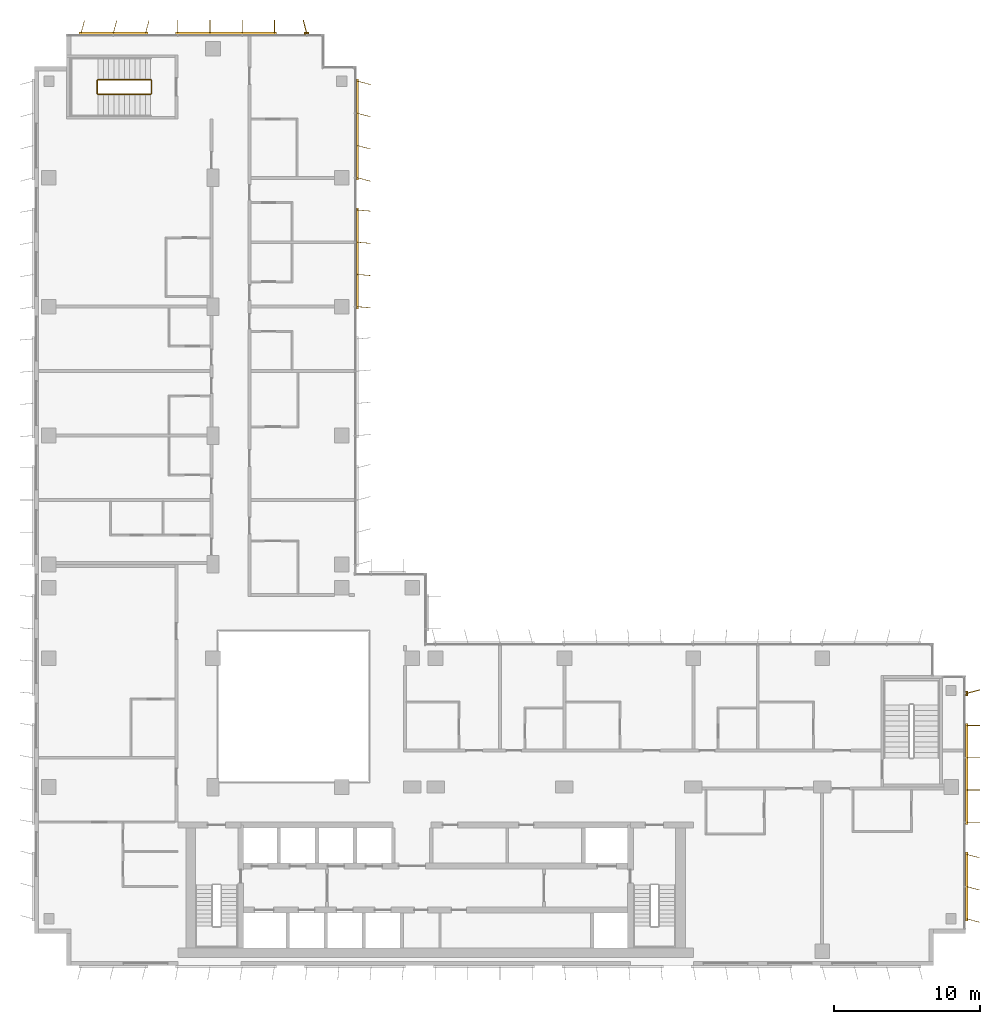
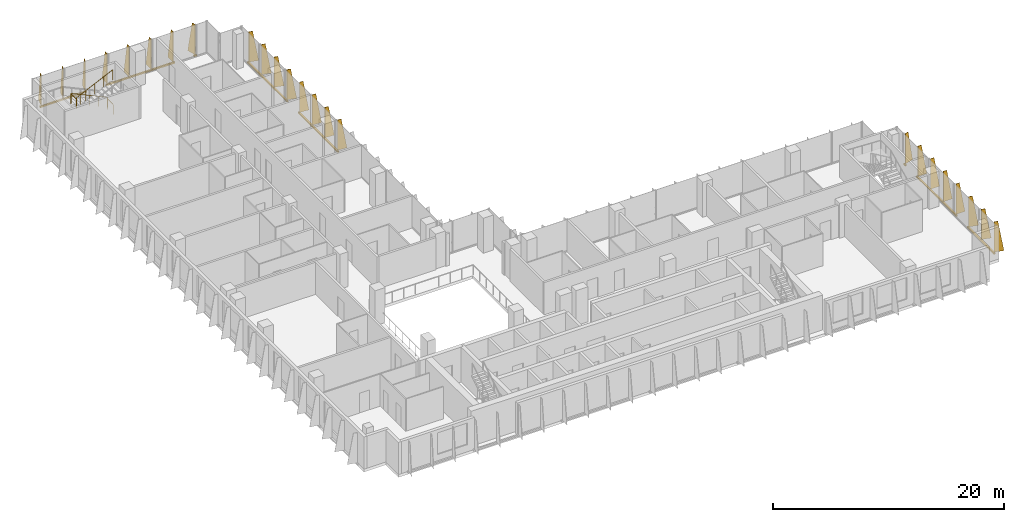
# One storey, part 21 of 21: 8 shading devices, 1 railing.
"""IFC4 building model written with IfcOpenShell, lengths in metres."""

from ifc_helpers import new_model, si_unit, direction, frame, origin, origin_2d, place, context, subcontext, project, spatial, polyline, rectangle, circle, outline, extrude, source, transform, mapped, material, layer, layer_set, type_object, element, save


model = new_model("IFC4")

# Units and contexts
model_context = context("Model", 3, precision=1e-05, world=origin(), true_north=direction((0.0, 1.0)))
body_context = subcontext(model_context, "Body", "Model", "MODEL_VIEW")
ifc_project = project(units=[si_unit("LENGTHUNIT", "METRE"), si_unit("AREAUNIT", "SQUARE_METRE"), si_unit("VOLUMEUNIT", "CUBIC_METRE"), si_unit("PLANEANGLEUNIT", "RADIAN"), si_unit("MASSUNIT", "GRAM", prefix="KILO")], contexts=[model_context])

# Site, building, storey
site_placement = place(None, origin())
site = spatial("IfcSite", under=ifc_project, at=site_placement, CompositionType="ELEMENT")
building_placement = place(site_placement, origin())
building = spatial("IfcBuilding", under=site, at=building_placement, Name="Kemantara Hotel Tower", CompositionType="ELEMENT")
storey_placement = place(building_placement, frame((0.0, 0.0, 160.5)))
storey = spatial("IfcBuildingStorey", under=building, at=storey_placement, Name="L39", CompositionType="ELEMENT", Elevation=160.5)

# Railing
ifc_material_1 = material(Name="Stainless steel balustrade", Category="steel")
railing_type = type_object("IfcRailingType", Name="Stair guard 1100 mm", PredefinedType="GUARDRAIL", material=ifc_material_1)
railing_placement = place(storey_placement, frame((7.949951171875, 59.5, 3.699951171875)))
element("IfcRailing", 1, at=railing_placement, inside=storey, type_object=railing_type, Name="L39 ST4 stair guard 1", PredefinedType="GUARDRAIL", context=body_context, shape_type="SweptSolid", body=[
    extrude(circle(Radius=0.02392578125, at=origin_2d()), frame((0.0, 0.0, 1.076171875), z_axis=(-0.905994681025, 0.0, -0.423289071386), x_axis=(0.0, -1.0, 0.0)), (0.0, 0.0, 1.0), 3.973388671875),
    extrude(circle(Radius=0.02392578125, at=origin_2d()), frame((-3.599853515625, 0.0, -0.60595703125), z_axis=(-0.274582412415, 0.274582412415, -0.921525364591), x_axis=(-0.707106781187, -0.707106781187, 0.0)), (0.0, 0.0, 1.0), 0.182373046875),
    extrude(circle(Radius=0.02392578125, at=origin_2d()), frame((-3.64990234375, 0.050048828125, -0.77392578125), z_axis=(0.0, 1.0, 0.0), x_axis=(-1.0, 0.0, 0.0)), (0.0, 0.0, 1.0), 0.89990234375),
    extrude(circle(Radius=0.02392578125, at=origin_2d()), frame((-3.64990234375, 0.949951171875, -0.77392578125), z_axis=(0.707106781187, 0.707106781187, 0.0), x_axis=(-0.707106781187, 0.707106781187, 0.0)), (0.0, 0.0, 1.0), 0.07080078125),
    extrude(circle(Radius=0.02392578125, at=origin_2d()), frame((-3.599853515625, 1.0, -0.77392578125), z_axis=(0.905994681025, 0.0, -0.423289071386), x_axis=(0.0, 1.0, 0.0)), (0.0, 0.0, 1.0), 3.973388671875),
    extrude(circle(Radius=0.02392578125, at=origin_2d()), frame((0.0, 1.0, -2.45556640625), z_axis=(0.274243871929, -0.274243871929, -0.92172696468), x_axis=(0.707106781187, 0.707106781187, 0.0)), (0.0, 0.0, 1.0), 0.1826171875),
    extrude(circle(Radius=0.02392578125, at=origin_2d()), frame((0.050048828125, 0.949951171875, -2.6240234375), z_axis=(0.0, -1.0, 0.0), x_axis=(1.0, 0.0, 0.0)), (0.0, 0.0, 1.0), 0.89990234375),
    extrude(circle(Radius=0.02099609375, at=origin_2d()), origin(), (0.0, 0.0, 1.0), 1.052001953125),
    extrude(circle(Radius=0.02099609375, at=origin_2d()), frame((-0.89990234375, 0.0, -0.42041015625)), (0.0, 0.0, 1.0), 1.052001953125),
    extrude(circle(Radius=0.02099609375, at=origin_2d()), frame((-1.7998046875, 0.0, -0.8408203125)), (0.0, 0.0, 1.0), 1.052001953125),
    extrude(circle(Radius=0.02099609375, at=origin_2d()), frame((-2.699951171875, 0.0, -1.261474609375)), (0.0, 0.0, 1.0), 1.052001953125),
    extrude(circle(Radius=0.02099609375, at=origin_2d()), frame((-3.599853515625, 0.0, -1.681884765625)), (0.0, 0.0, 1.0), 1.052001953125),
    extrude(circle(Radius=0.02099609375, at=origin_2d()), frame((-3.64990234375, 0.050048828125, -1.849853515625)), (0.0, 0.0, 1.0), 1.052001953125),
    extrude(circle(Radius=0.02099609375, at=origin_2d()), frame((-3.64990234375, 0.949951171875, -1.849853515625)), (0.0, 0.0, 1.0), 1.052001953125),
    extrude(circle(Radius=0.02099609375, at=origin_2d()), frame((-3.599853515625, 1.0, -1.849853515625)), (0.0, 0.0, 1.0), 1.052001953125),
    extrude(circle(Radius=0.02099609375, at=origin_2d()), frame((-2.699951171875, 1.0, -2.270263671875)), (0.0, 0.0, 1.0), 1.052001953125),
    extrude(circle(Radius=0.02099609375, at=origin_2d()), frame((-1.7998046875, 1.0, -2.69091796875)), (0.0, 0.0, 1.0), 1.052001953125),
    extrude(circle(Radius=0.02099609375, at=origin_2d()), frame((-0.89990234375, 1.0, -3.111328125)), (0.0, 0.0, 1.0), 1.052001953125),
    extrude(circle(Radius=0.02099609375, at=origin_2d()), frame((0.0, 1.0, -3.53173828125)), (0.0, 0.0, 1.0), 1.052001953125),
    extrude(circle(Radius=0.02099609375, at=origin_2d()), frame((0.050048828125, 0.949951171875, -3.699951171875)), (0.0, 0.0, 1.0), 1.052001953125),
    extrude(circle(Radius=0.02099609375, at=origin_2d()), frame((0.050048828125, 0.050048828125, -3.699951171875)), (0.0, 0.0, 1.0), 1.052001953125),
])

# Shading devices
ifc_material_2 = material(Name="Perforated aluminium plate 4 mm bronze anodised", Category="aluminium")
ifc_layer_1 = layer(ifc_material_2, 0.0400390625)
ifc_layer_set_1 = layer_set([ifc_layer_1], Name="Perforated aluminium plate 4 mm bronze anodised")
shading_device_type_1 = type_object("IfcShadingDeviceType", Name="SCREEN FIN CASSETTE, 3 BLADES AT -15.0 DEG, 3200 HIGH", PredefinedType="USERDEFINED", material=ifc_layer_set_1)
shared_shape_1 = source(origin(), body_context, "Body", "SweptSolid", [
    extrude(rectangle(XDim=4.699951171875, YDim=0.14990234375, at=origin_2d()), frame((2.199951171875, -0.074951171875, -0.14990234375), z_axis=(0.0, 0.0, 1.0), x_axis=(1.0, 0.0, 0.0)), (0.0, 0.0, 1.0), 0.14990234375),
    extrude(outline(polyline([(0.0, 0.0), (0.89990234375, 0.0), (0.35009765625, 3.199951171875), (0.0, 3.199951171875), (0.0, 0.0)])), frame((0.019287109375, -0.080078125, 0.0), z_axis=(-0.966437683387, 0.256901156343, 0.0), x_axis=(-0.256901156343, -0.966437683387, 0.0)), (0.0, 0.0, 1.0), 0.039794921875),
    extrude(outline(polyline([(0.0, 0.0), (0.89990234375, 0.0), (0.35009765625, 3.199951171875), (0.0, 3.199951171875), (0.0, 0.0)])), frame((2.21923828125, -0.080078125, 0.0), z_axis=(-0.966437683387, 0.256901156343, 0.0), x_axis=(-0.256901156343, -0.966437683387, 0.0)), (0.0, 0.0, 1.0), 0.039794921875),
    extrude(outline(polyline([(0.0, 0.0), (0.89990234375, 0.0), (0.35009765625, 3.199951171875), (0.0, 3.199951171875), (0.0, 0.0)])), frame((4.41943359375, -0.080078125, 0.0), z_axis=(-0.966837822169, 0.255391122837, 0.0), x_axis=(-0.255391122837, -0.966837822169, 0.0)), (0.0, 0.0, 1.0), 0.0400390625),
])
for number, where, z_axis, x_axis, name in (
    (2, (7.60009765625, 63.60009765625, 0.10009765625), (0.0, 0.0, 1.0), (-1.0, 0.0, 0.0), "SCREEN FIN CASSETTE L39 T3-R02-3"),
    (3, (63.60009765625, 3.199951171875, 0.10009765625), (0.0, 0.0, 1.0), (0.0, 1.0, 0.0), "SCREEN FIN CASSETTE L39 T3-R11-1"),
):
    element("IfcShadingDevice", number, at=place(storey_placement, frame(where, z_axis=z_axis, x_axis=x_axis)), inside=storey, type_object=shading_device_type_1, Name=name, ObjectType="SCREEN FIN", PredefinedType="USERDEFINED", context=body_context, shape_type="MappedRepresentation", body=[
        mapped(shared_shape_1, transform((0.0, 0.0, 0.0))),
    ])
ifc_layer_2 = layer(ifc_material_2, 0.0400390625)
ifc_layer_set_2 = layer_set([ifc_layer_2], Name="Perforated aluminium plate 4 mm bronze anodised")
shading_device_type_2 = type_object("IfcShadingDeviceType", Name="SCREEN FIN CASSETTE, 4 BLADES AT -5.0 DEG, 3200 HIGH", PredefinedType="USERDEFINED", material=ifc_layer_set_2)
shared_shape_2 = source(origin(), body_context, "Body", "SweptSolid", [
    extrude(rectangle(XDim=6.89990234375, YDim=0.14990234375, at=origin_2d()), frame((3.300048828125, -0.074951171875, -0.14990234375), z_axis=(0.0, 0.0, 1.0), x_axis=(1.0, 0.0, 0.0)), (0.0, 0.0, 1.0), 0.14990234375),
    extrude(outline(polyline([(0.0, 0.0), (0.89990234375, 0.0), (0.35009765625, 3.199951171875), (0.0, 3.199951171875), (0.0, 0.0)])), frame((0.02001953125, -0.07666015625, 0.0), z_axis=(-0.996376129781, 0.085056498884, 0.0), x_axis=(-0.085056498884, -0.996376129781, 0.0)), (0.0, 0.0, 1.0), 0.040283203125),
    extrude(outline(polyline([(0.0, 0.0), (0.89990234375, 0.0), (0.35009765625, 3.199951171875), (0.0, 3.199951171875), (0.0, 0.0)])), frame((2.219970703125, -0.07666015625, 0.0), z_axis=(-0.996331773833, 0.085574508182, 0.0), x_axis=(-0.085574508182, -0.996331773833, 0.0)), (0.0, 0.0, 1.0), 0.0400390625),
    extrude(outline(polyline([(0.0, 0.0), (0.89990234375, 0.0), (0.35009765625, 3.199951171875), (0.0, 3.199951171875), (0.0, 0.0)])), frame((4.419921875, -0.07666015625, 0.0), z_axis=(-0.996331773833, 0.085574508182, 0.0), x_axis=(-0.085574508182, -0.996331773833, 0.0)), (0.0, 0.0, 1.0), 0.0400390625),
    extrude(outline(polyline([(0.0, 0.0), (0.89990234375, 0.0), (0.35009765625, 3.199951171875), (0.0, 3.199951171875), (0.0, 0.0)])), frame((6.619873046875, -0.07666015625, 0.0), z_axis=(-0.996331773833, 0.085574508182, 0.0), x_axis=(-0.085574508182, -0.996331773833, 0.0)), (0.0, 0.0, 1.0), 0.0400390625),
])
shading_device_1_placement = place(storey_placement, frame((22.0, 45.0, 0.10009765625), z_axis=(0.0, 0.0, 1.0), x_axis=(0.0, 1.0, 0.0)))
element("IfcShadingDevice", 4, at=shading_device_1_placement, inside=storey, type_object=shading_device_type_2, Name="SCREEN FIN CASSETTE L39 T3-R17-3", ObjectType="SCREEN FIN", PredefinedType="USERDEFINED", context=body_context, shape_type="MappedRepresentation", body=[
    mapped(shared_shape_2, transform((0.0, 0.0, 0.0))),
])
ifc_layer_3 = layer(ifc_material_2, 0.0400390625)
ifc_layer_set_3 = layer_set([ifc_layer_3], Name="Perforated aluminium plate 4 mm bronze anodised")
shading_device_type_3 = type_object("IfcShadingDeviceType", Name="SCREEN FIN CASSETTE, 4 BLADES AT +0.0 DEG, 3200 HIGH", PredefinedType="USERDEFINED", material=ifc_layer_set_3)
shared_shape_3 = source(origin(), body_context, "Body", "SweptSolid", [
    extrude(rectangle(XDim=6.89990234375, YDim=0.14990234375, at=origin_2d()), frame((3.300048828125, -0.074951171875, -0.14990234375), z_axis=(0.0, 0.0, 1.0), x_axis=(1.0, 0.0, 0.0)), (0.0, 0.0, 1.0), 0.14990234375),
    extrude(outline(polyline([(0.0, 0.0), (0.89990234375, 0.0), (0.35009765625, 3.199951171875), (0.0, 3.199951171875), (0.0, 0.0)])), frame((0.02001953125, -0.074951171875, 0.0), z_axis=(-1.0, 0.0, 0.0), x_axis=(0.0, -1.0, 0.0)), (0.0, 0.0, 1.0), 0.0400390625),
    extrude(outline(polyline([(0.0, 0.0), (0.89990234375, 0.0), (0.35009765625, 3.199951171875), (0.0, 3.199951171875), (0.0, 0.0)])), frame((2.219970703125, -0.074951171875, 0.0), z_axis=(-1.0, 0.0, 0.0), x_axis=(0.0, -1.0, 0.0)), (0.0, 0.0, 1.0), 0.0400390625),
    extrude(outline(polyline([(0.0, 0.0), (0.89990234375, 0.0), (0.35009765625, 3.199951171875), (0.0, 3.199951171875), (0.0, 0.0)])), frame((4.419921875, -0.074951171875, 0.0), z_axis=(-1.0, 0.0, 0.0), x_axis=(0.0, -1.0, 0.0)), (0.0, 0.0, 1.0), 0.0400390625),
    extrude(outline(polyline([(0.0, 0.0), (0.89990234375, 0.0), (0.35009765625, 3.199951171875), (0.0, 3.199951171875), (0.0, 0.0)])), frame((6.6201171875, -0.074951171875, 0.0), z_axis=(-1.0, 0.0, 0.0), x_axis=(0.0, -1.0, 0.0)), (0.0, 0.0, 1.0), 0.0400390625),
])
for number, where, z_axis, x_axis, name in (
    (5, (16.39990234375, 63.60009765625, 0.10009765625), (0.0, 0.0, 1.0), (-1.0, 0.0, 0.0), "SCREEN FIN CASSETTE L39 T3-R02-2"),
    (6, (63.60009765625, 9.800048828125, 0.10009765625), (0.0, 0.0, 1.0), (0.0, 1.0, 0.0), "SCREEN FIN CASSETTE L39 T3-R11-2"),
):
    element("IfcShadingDevice", number, at=place(storey_placement, frame(where, z_axis=z_axis, x_axis=x_axis)), inside=storey, type_object=shading_device_type_3, Name=name, ObjectType="SCREEN FIN", PredefinedType="USERDEFINED", context=body_context, shape_type="MappedRepresentation", body=[
        mapped(shared_shape_3, transform((0.0, 0.0, 0.0))),
    ])
ifc_layer_4 = layer(ifc_material_2, 0.0400390625)
ifc_layer_set_4 = layer_set([ifc_layer_4], Name="Perforated aluminium plate 4 mm bronze anodised")
shading_device_type_4 = type_object("IfcShadingDeviceType", Name="SCREEN FIN CASSETTE, 4 BLADES AT -15.0 DEG, 3200 HIGH", PredefinedType="USERDEFINED", material=ifc_layer_set_4)
shared_shape_4 = source(origin(), body_context, "Body", "SweptSolid", [
    extrude(rectangle(XDim=6.89990234375, YDim=0.14990234375, at=origin_2d()), frame((3.300048828125, -0.074951171875, -0.14990234375), z_axis=(0.0, 0.0, 1.0), x_axis=(1.0, 0.0, 0.0)), (0.0, 0.0, 1.0), 0.14990234375),
    extrude(outline(polyline([(0.0, 0.0), (0.89990234375, 0.0), (0.35009765625, 3.199951171875), (0.0, 3.199951171875), (0.0, 0.0)])), frame((0.019287109375, -0.080078125, 0.0), z_axis=(-0.966437683387, 0.256901156343, 0.0), x_axis=(-0.256901156343, -0.966437683387, 0.0)), (0.0, 0.0, 1.0), 0.039794921875),
    extrude(outline(polyline([(0.0, 0.0), (0.89990234375, 0.0), (0.35009765625, 3.199951171875), (0.0, 3.199951171875), (0.0, 0.0)])), frame((2.21923828125, -0.080078125, 0.0), z_axis=(-0.966437683387, 0.256901156343, 0.0), x_axis=(-0.256901156343, -0.966437683387, 0.0)), (0.0, 0.0, 1.0), 0.039794921875),
    extrude(outline(polyline([(0.0, 0.0), (0.89990234375, 0.0), (0.35009765625, 3.199951171875), (0.0, 3.199951171875), (0.0, 0.0)])), frame((4.41943359375, -0.080078125, 0.0), z_axis=(-0.966837822169, 0.255391122837, 0.0), x_axis=(-0.255391122837, -0.966837822169, 0.0)), (0.0, 0.0, 1.0), 0.0400390625),
    extrude(outline(polyline([(0.0, 0.0), (0.89990234375, 0.0), (0.35009765625, 3.199951171875), (0.0, 3.199951171875), (0.0, 0.0)])), frame((6.619384765625, -0.080078125, 0.0), z_axis=(-0.966837822169, 0.255391122837, 0.0), x_axis=(-0.255391122837, -0.966837822169, 0.0)), (0.0, 0.0, 1.0), 0.0400390625),
])
shading_device_2_placement = place(storey_placement, frame((22.0, 53.800048828125, 0.10009765625), z_axis=(0.0, 0.0, 1.0), x_axis=(0.0, 1.0, 0.0)))
element("IfcShadingDevice", 7, at=shading_device_2_placement, inside=storey, type_object=shading_device_type_4, Name="SCREEN FIN CASSETTE L39 T3-R17-4", ObjectType="SCREEN FIN", PredefinedType="USERDEFINED", context=body_context, shape_type="MappedRepresentation", body=[
    mapped(shared_shape_4, transform((0.0, 0.0, 0.0))),
])
ifc_layer_5 = layer(ifc_material_2, 0.0400390625)
ifc_layer_set_5 = layer_set([ifc_layer_5], Name="Perforated aluminium plate 4 mm bronze anodised")
shading_device_type_5 = type_object("IfcShadingDeviceType", Name="SCREEN FIN CASSETTE, 1 BLADE AT +15.0 DEG, 3200 HIGH", PredefinedType="USERDEFINED", material=ifc_layer_set_5)
shared_shape_5 = source(origin(), body_context, "Body", "SweptSolid", [
    extrude(rectangle(XDim=0.300048828125, YDim=0.14990234375, at=origin_2d()), frame((0.0, -0.074951171875, -0.14990234375), z_axis=(0.0, 0.0, 1.0), x_axis=(1.0, 0.0, 0.0)), (0.0, 0.0, 1.0), 0.14990234375),
    extrude(outline(polyline([(0.0, 0.0), (0.89990234375, 0.0), (0.35009765625, 3.199951171875), (0.0, 3.199951171875), (0.0, 0.0)])), frame((0.019287109375, -0.06982421875, 0.0), z_axis=(-0.966437683387, -0.256901156343, 0.0), x_axis=(0.256901156343, -0.966437683387, 0.0)), (0.0, 0.0, 1.0), 0.039794921875),
])
for number, where, z_axis, x_axis, name in (
    (8, (18.60009765625, 63.60009765625, 0.10009765625), (0.0, 0.0, 1.0), (-1.0, 0.0, 0.0), "SCREEN FIN CASSETTE L39 T3-R02-1"),
    (9, (63.60009765625, 18.60009765625, 0.10009765625), (0.0, 0.0, 1.0), (0.0, 1.0, 0.0), "SCREEN FIN CASSETTE L39 T3-R11-3"),
):
    element("IfcShadingDevice", number, at=place(storey_placement, frame(where, z_axis=z_axis, x_axis=x_axis)), inside=storey, type_object=shading_device_type_5, Name=name, ObjectType="SCREEN FIN", PredefinedType="USERDEFINED", context=body_context, shape_type="MappedRepresentation", body=[
        mapped(shared_shape_5, transform((0.0, 0.0, 0.0))),
    ])

save(model, "model.ifc")
